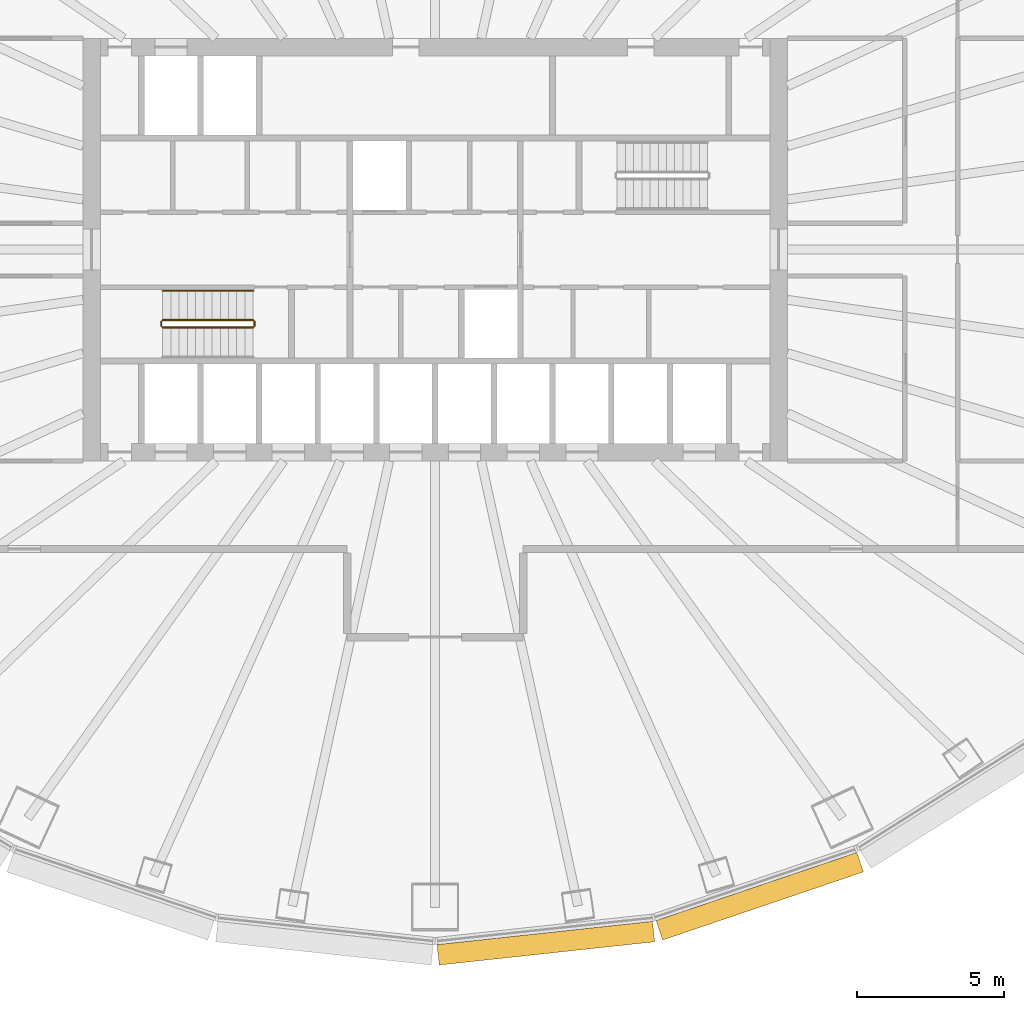
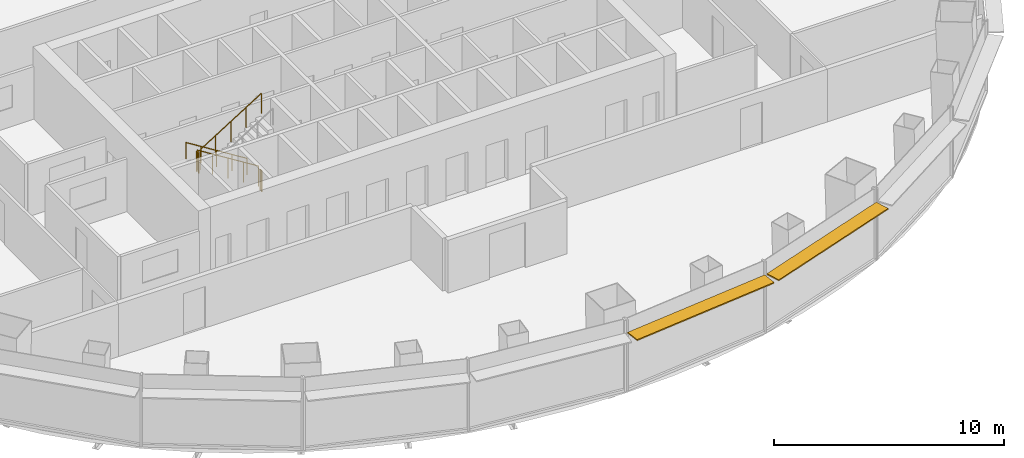
# One storey, part 11 of 13: 5 railings, 2 shading devices.
"""IFC4 building model written with IfcOpenShell, lengths in metres."""

import ifcopenshell
import ifcopenshell.guid

model = None  # the IFC model being written
_history = None  # IfcOwnerHistory: only IFC2X3 demands one
_inside = {}  # id of a spatial element -> (the spatial element, [elements in it])
_under = {}  # id of a project, library or spatial element -> (it, [spatial elements below it])
_declared = {}  # id of a project -> (the project, [libraries it declares])
_typed = {}  # id of a type object -> (the type object, [elements of that type])
_made_of = {}  # id of a material, layer set ... -> (it, [elements and type objects made of it])


def new_model(schema):
    """Start an empty IFC model of exactly this schema.

    Asked for "IFC4X3", IfcOpenShell would pick the latest addendum, in which some entities
    have other attributes; the version numbers below select the first issue.
    IFC2X3 requires an IfcOwnerHistory on every rooted entity: one is made here for all.
    """
    global model, _history
    if schema == "IFC4X3":
        model = ifcopenshell.file(schema_version=(4, 3, 0, 0))
    else:
        model = ifcopenshell.file(schema=schema)
    _inside.clear()
    _under.clear()
    _declared.clear()
    _typed.clear()
    _made_of.clear()
    _history = None
    if model.schema == "IFC2X3":
        org = make("IfcOrganization", Name="unknown")
        user = make(
            "IfcPersonAndOrganization",
            ThePerson=make("IfcPerson", FamilyName="unknown"),
            TheOrganization=org,
        )
        app = make(
            "IfcApplication",
            ApplicationDeveloper=org,
            Version="unknown",
            ApplicationFullName="unknown",
            ApplicationIdentifier="unknown",
        )
        _history = make(
            "IfcOwnerHistory",
            OwningUser=user,
            OwningApplication=app,
            ChangeAction="ADDED",
            CreationDate=0,
        )
    return model


def make(cls, **values):
    """One entity of the class cls with the attributes given. An attribute that is None is left unset."""
    return model.create_entity(
        cls, **{name: value for name, value in values.items() if value is not None}
    )


def rooted(cls, **values):
    """An entity with a GlobalId (a new one), such as an element, a storey or a relation."""
    return make(cls, GlobalId=ifcopenshell.guid.new(), OwnerHistory=_history, **values)


def si_unit(unit_type, name, prefix=None):
    """IfcSIUnit, for example si_unit("LENGTHUNIT", "METRE", prefix="MILLI")."""
    return make("IfcSIUnit", UnitType=unit_type, Prefix=prefix, Name=name)


def assignment(units):
    """IfcUnitAssignment: the units of a project."""
    return None if units is None else make("IfcUnitAssignment", Units=units)


def point(xyz):
    """IfcCartesianPoint."""
    return None if xyz is None else make("IfcCartesianPoint", Coordinates=xyz)


def direction(xyz):
    """IfcDirection."""
    return None if xyz is None else make("IfcDirection", DirectionRatios=xyz)


def frame(location, z_axis=None, x_axis=None):
    """IfcAxis2Placement3D, a coordinate frame: its origin and axes. An axis left out is left unset."""
    return make(
        "IfcAxis2Placement3D",
        Location=point(location),
        Axis=direction(z_axis),
        RefDirection=direction(x_axis),
    )


def frame_2d(location, x_axis=None):
    """IfcAxis2Placement2D, a coordinate frame in the plane: its origin and x axis."""
    return make(
        "IfcAxis2Placement2D", Location=point(location), RefDirection=direction(x_axis)
    )


def origin():
    """The frame at (0, 0, 0) with its axes left unset."""
    return frame((0.0, 0.0, 0.0))


def origin_2d():
    """The frame at (0, 0) in the plane with its x axis left unset."""
    return frame_2d((0.0, 0.0))


def place(relative_to, where):
    """IfcLocalPlacement: puts the frame where relative to a parent placement (None: the world)."""
    return make(
        "IfcLocalPlacement", PlacementRelTo=relative_to, RelativePlacement=where
    )


def context(
    kind, dimensions, precision=None, world=None, true_north=None, identifier=None
):
    """IfcGeometricRepresentationContext, for example the 3D "Model" context."""
    return make(
        "IfcGeometricRepresentationContext",
        ContextIdentifier=identifier,
        ContextType=kind,
        CoordinateSpaceDimension=dimensions,
        Precision=precision,
        WorldCoordinateSystem=world,
        TrueNorth=true_north,
    )


def subcontext(parent, identifier, kind, view, scale=None):
    """IfcGeometricRepresentationSubContext, for example "Body" below "Model"."""
    return make(
        "IfcGeometricRepresentationSubContext",
        ContextIdentifier=identifier,
        ContextType=kind,
        ParentContext=parent,
        TargetScale=scale,
        TargetView=view,
    )


def project(units=None, contexts=None):
    """IfcProject with its units and contexts."""
    return rooted(
        "IfcProject",
        Name="project",
        RepresentationContexts=contexts,
        UnitsInContext=assignment(units),
    )


def spatial(cls, under=None, at=None, **own):
    """A site, building, storey or space (cls), placed at a placement, below another one or the project."""
    s = rooted(cls, ObjectPlacement=at, **own)
    if under is not None:
        _under.setdefault(under.id(), (under, []))[1].append(s)
    return s


def profile(cls, at=None, kind="AREA", **sizes):
    """A parametric profile (cls). Its sizes go by their IFC names, for example OverallWidth=200.0."""
    return make(cls, ProfileType=kind, Position=at, **sizes)


def rectangle(**sizes):
    """IfcRectangleProfileDef."""
    return profile("IfcRectangleProfileDef", **sizes)


def circle(**sizes):
    """IfcCircleProfileDef."""
    return profile("IfcCircleProfileDef", **sizes)


def extrude(swept, where, along, depth):
    """IfcExtrudedAreaSolid: the profile swept, set in the frame where, extruded along a direction by depth."""
    return make(
        "IfcExtrudedAreaSolid",
        SweptArea=swept,
        Position=where,
        ExtrudedDirection=direction(along),
        Depth=depth,
    )


def shape(context_of_items, identifier, shape_type, items):
    """IfcShapeRepresentation: the items that make up one representation, for example the "Body"."""
    return make(
        "IfcShapeRepresentation",
        ContextOfItems=context_of_items,
        RepresentationIdentifier=identifier,
        RepresentationType=shape_type,
        Items=items,
    )


def material(Name=None, Category=None):
    """IfcMaterial."""
    return make("IfcMaterial", Name=Name, Category=Category)


def layer(
    of_material, thickness, ventilated=None, Name=None, Category=None, Priority=None
):
    """IfcMaterialLayer: one layer of a wall or slab, of a material (None: an air gap)."""
    return make(
        "IfcMaterialLayer",
        Material=of_material,
        LayerThickness=thickness,
        IsVentilated=ventilated,
        Name=Name,
        Category=Category,
        Priority=Priority,
    )


def layer_set(layers, Name=None):
    """IfcMaterialLayerSet."""
    return make("IfcMaterialLayerSet", MaterialLayers=layers, LayerSetName=Name)


def made_of(thing, what):
    """Note that an element or type object is made of a material, layer set ...; save() writes the relation."""
    if what is not None:
        _made_of.setdefault(what.id(), (what, []))[1].append(thing)
    return thing


def type_object(cls, material=None, **own):
    """A type object (cls), such as IfcWallType, which elements share."""
    return made_of(rooted(cls, **own), material)


def element(
    cls,
    number,
    at=None,
    inside=None,
    cuts=None,
    type_object=None,
    material=None,
    context=None,
    identifier="Body",
    shape_type=None,
    held_by="IfcProductDefinitionShape",
    body=None,
    shapes=None,
    **own,
):
    """One element of the class cls, such as IfcWall. Its Tag is "e" and its number.

    at: its placement. inside: the storey or other place that contains it. cuts: it is an
    opening in that element (IfcRelVoidsElement). A single representation is given by context,
    identifier, shape_type and body (its items); several are given by shapes. held_by: the class
    of the entity that holds the representations. save() writes the other relations.
    """
    e = rooted(cls, Tag="e%d" % number, ObjectPlacement=at, **own)
    if body is not None:
        shapes = [shape(context, identifier, shape_type, body)]
    if shapes is not None:
        e.Representation = make(held_by, Representations=shapes)
    if inside is not None:
        _inside.setdefault(inside.id(), (inside, []))[1].append(e)
    if cuts is not None:
        rooted(
            "IfcRelVoidsElement", RelatingBuildingElement=cuts, RelatedOpeningElement=e
        )
    if type_object is not None:
        _typed.setdefault(type_object.id(), (type_object, []))[1].append(e)
    return made_of(e, material)


def aggregate(whole, parts):
    """IfcRelAggregates: a whole, such as a stair, and the parts it consists of."""
    return rooted("IfcRelAggregates", RelatingObject=whole, RelatedObjects=parts)


def save(model, path):
    """Write the relations noted so far, then the file.

    IfcRelAggregates (storeys below a building ...), IfcRelContainedInSpatialStructure (elements
    in a storey), IfcRelDefinesByType, IfcRelAssociatesMaterial and IfcRelDeclares: one each for
    every whole, place, type object, material and project.
    """
    for whole, parts in _under.values():
        aggregate(whole, parts)
    for where, things in _inside.values():
        rooted(
            "IfcRelContainedInSpatialStructure",
            RelatedElements=things,
            RelatingStructure=where,
        )
    for kind, things in _typed.values():
        rooted("IfcRelDefinesByType", RelatedObjects=things, RelatingType=kind)
    for what, things in _made_of.values():
        rooted("IfcRelAssociatesMaterial", RelatedObjects=things, RelatingMaterial=what)
    for by, libraries in _declared.values():
        rooted("IfcRelDeclares", RelatingContext=by, RelatedDefinitions=libraries)
    model.write(path)


model = new_model("IFC4")

# Units and contexts
model_context = context("Model", 3, precision=1e-05, world=origin(), true_north=direction((0.0, 1.0)))
body_context = subcontext(model_context, "Body", "Model", "MODEL_VIEW")
ifc_project = project(units=[si_unit("LENGTHUNIT", "METRE"), si_unit("AREAUNIT", "SQUARE_METRE"), si_unit("VOLUMEUNIT", "CUBIC_METRE"), si_unit("PLANEANGLEUNIT", "RADIAN"), si_unit("MASSUNIT", "GRAM", prefix="KILO")], contexts=[model_context])

# Site, building, storey
site_placement = place(None, origin())
site = spatial("IfcSite", under=ifc_project, at=site_placement, CompositionType="ELEMENT")
building_placement = place(site_placement, origin())
building = spatial("IfcBuilding", under=site, at=building_placement, Name="Siaravel Broadcast Tower", CompositionType="ELEMENT")
storey_placement = place(building_placement, frame((0.0, 0.0, 24.5)))
storey = spatial("IfcBuildingStorey", under=building, at=storey_placement, Name="L04", CompositionType="ELEMENT", Elevation=24.5)

# Shading devices
ifc_material_1 = material(Name="Bronze anodised aluminium", Category="aluminium")
ifc_layer = layer(ifc_material_1, 0.06005859375)
ifc_layer_set = layer_set([ifc_layer], Name="Bronze anodised aluminium")
shading_device_type = type_object("IfcShadingDeviceType", Name="Brise-soleil band", PredefinedType="USERDEFINED", material=ifc_layer_set)
shading_device_1_placement = place(storey_placement, frame((3.77001953125, -23.627197265625, 3.070068359375), z_axis=(0.0, 0.0, 1.0), x_axis=(0.994235667, 0.107216783, 0.0)))
element("IfcShadingDevice", 1, at=shading_device_1_placement, inside=storey, type_object=shading_device_type, Name="L04 brise-soleil band 19", ObjectType="SUNSHADE", PredefinedType="USERDEFINED", context=body_context, shape_type="SweptSolid", body=[
    extrude(rectangle(XDim=7.3818359375, YDim=0.699951171875, at=origin_2d()), origin(), (0.0, 0.0, 1.0), 0.06005859375),
])
shading_device_2_placement = place(storey_placement, frame((11.056884765625, -22.02783203125, 3.070068359375), z_axis=(0.0, 0.0, 1.0), x_axis=(0.946977245, 0.321300635, 0.0)))
element("IfcShadingDevice", 2, at=shading_device_2_placement, inside=storey, type_object=shading_device_type, Name="L04 brise-soleil band 20", ObjectType="SUNSHADE", PredefinedType="USERDEFINED", context=body_context, shape_type="SweptSolid", body=[
    extrude(rectangle(XDim=7.220703125, YDim=0.699951171875, at=origin_2d()), origin(), (0.0, 0.0, 1.0), 0.06005859375),
])

# Railings
ifc_material_2 = material(Name="Stainless steel 316L", Category="steel")
railing_type_1 = type_object("IfcRailingType", Name="Stair guard 1100", PredefinedType="GUARDRAIL", material=ifc_material_2)
railing_1_placement = place(storey_placement, frame((-6.199951171875, -2.39990234375, 0.175048828125)))
element("IfcRailing", 3, at=railing_1_placement, inside=storey, type_object=railing_type_1, Name="L04 ST-1 stair guard 1", PredefinedType="GUARDRAIL", context=body_context, shape_type="SweptSolid", body=[
    extrude(circle(Radius=0.02392578125, at=origin_2d()), frame((0.0, 0.0, 1.076171875), z_axis=(-0.847998304, 0.0, 0.52999894), x_axis=(0.0, -1.0, 0.0)), (0.0, 0.0, 1.0), 3.632080078125),
    extrude(circle(Radius=0.02099609375, at=origin_2d()), origin(), (0.0, 0.0, 1.0), 1.052001953125),
    extrude(circle(Radius=0.02099609375, at=origin_2d()), frame((-0.77001953125, 0.0, 0.481201171875)), (0.0, 0.0, 1.0), 1.052001953125),
    extrude(circle(Radius=0.02099609375, at=origin_2d()), frame((-1.5400390625, 0.0, 0.96240234375)), (0.0, 0.0, 1.0), 1.052001953125),
    extrude(circle(Radius=0.02099609375, at=origin_2d()), frame((-2.31005859375, 0.0, 1.44384765625)), (0.0, 0.0, 1.0), 1.052001953125),
    extrude(circle(Radius=0.02099609375, at=origin_2d()), frame((-3.080078125, 0.0, 1.925048828125)), (0.0, 0.0, 1.0), 1.052001953125),
])
railing_2_placement = place(storey_placement, frame((-9.330078125, -2.449951171875, 2.10009765625)))
element("IfcRailing", 4, at=railing_2_placement, inside=storey, type_object=railing_type_1, Name="L04 ST-1 stair guard 2", PredefinedType="GUARDRAIL", context=body_context, shape_type="SweptSolid", body=[
    extrude(circle(Radius=0.02392578125, at=origin_2d()), frame((0.0, 0.0, 1.076171875), z_axis=(0.0, -1.0, 0.0), x_axis=(1.0, 0.0, 0.0)), (0.0, 0.0, 1.0), 0.150146484375),
    extrude(circle(Radius=0.02099609375, at=origin_2d()), origin(), (0.0, 0.0, 1.0), 1.052001953125),
    extrude(circle(Radius=0.02099609375, at=origin_2d()), frame((0.0, -0.150146484375, 0.0)), (0.0, 0.0, 1.0), 1.052001953125),
])
railing_3_placement = place(storey_placement, frame((-9.280029296875, -2.64990234375, 2.27490234375)))
element("IfcRailing", 5, at=railing_3_placement, inside=storey, type_object=railing_type_1, Name="L04 ST-1 stair guard 3", PredefinedType="GUARDRAIL", context=body_context, shape_type="SweptSolid", body=[
    extrude(circle(Radius=0.02392578125, at=origin_2d()), frame((0.0, 0.0, 1.076171875), z_axis=(0.847998304, 0.0, 0.52999894), x_axis=(0.0, 1.0, 0.0)), (0.0, 0.0, 1.0), 3.632080078125),
    extrude(circle(Radius=0.02099609375, at=origin_2d()), origin(), (0.0, 0.0, 1.0), 1.052001953125),
    extrude(circle(Radius=0.02099609375, at=origin_2d()), frame((0.77001953125, 0.0, 0.481201171875)), (0.0, 0.0, 1.0), 1.052001953125),
    extrude(circle(Radius=0.02099609375, at=origin_2d()), frame((1.5400390625, 0.0, 0.96240234375)), (0.0, 0.0, 1.0), 1.052001953125),
    extrude(circle(Radius=0.02099609375, at=origin_2d()), frame((2.31005859375, 0.0, 1.44384765625)), (0.0, 0.0, 1.0), 1.052001953125),
    extrude(circle(Radius=0.02099609375, at=origin_2d()), frame((3.080078125, 0.0, 1.925048828125)), (0.0, 0.0, 1.0), 1.052001953125),
])
railing_4_placement = place(storey_placement, frame((-6.14990234375, -2.449951171875, 0.0)))
element("IfcRailing", 6, at=railing_4_placement, inside=storey, type_object=railing_type_1, Name="L04 ST-1 stair guard 4", PredefinedType="GUARDRAIL", context=body_context, shape_type="SweptSolid", body=[
    extrude(circle(Radius=0.02392578125, at=origin_2d()), frame((0.0, 0.0, 1.076171875), z_axis=(0.0, -1.0, 0.0), x_axis=(1.0, 0.0, 0.0)), (0.0, 0.0, 1.0), 0.150146484375),
    extrude(circle(Radius=0.02099609375, at=origin_2d()), origin(), (0.0, 0.0, 1.0), 1.052001953125),
    extrude(circle(Radius=0.02099609375, at=origin_2d()), frame((0.0, -0.150146484375, 0.0)), (0.0, 0.0, 1.0), 1.052001953125),
])
railing_type_2 = type_object("IfcRailingType", Name="Stair handrail 900", PredefinedType="HANDRAIL", material=ifc_material_2)
railing_5_placement = place(storey_placement, frame((-6.199951171875, -1.39990234375, 0.175048828125)))
element("IfcRailing", 7, at=railing_5_placement, inside=storey, type_object=railing_type_2, Name="L04 ST-1 stair handrail 1", PredefinedType="HANDRAIL", context=body_context, shape_type="SweptSolid", body=[
    extrude(circle(Radius=0.02392578125, at=origin_2d()), frame((0.0, 0.0, 0.8759765625), z_axis=(-0.847998304, 0.0, 0.52999894), x_axis=(0.0, -1.0, 0.0)), (0.0, 0.0, 1.0), 3.632080078125),
    extrude(circle(Radius=0.02099609375, at=origin_2d()), origin(), (0.0, 0.0, 1.0), 0.851806640625),
    extrude(circle(Radius=0.02099609375, at=origin_2d()), frame((-0.77001953125, 0.0, 0.481201171875)), (0.0, 0.0, 1.0), 0.851806640625),
    extrude(circle(Radius=0.02099609375, at=origin_2d()), frame((-1.5400390625, 0.0, 0.96240234375)), (0.0, 0.0, 1.0), 0.851806640625),
    extrude(circle(Radius=0.02099609375, at=origin_2d()), frame((-2.31005859375, 0.0, 1.44384765625)), (0.0, 0.0, 1.0), 0.851806640625),
    extrude(circle(Radius=0.02099609375, at=origin_2d()), frame((-3.080078125, 0.0, 1.925048828125)), (0.0, 0.0, 1.0), 0.851806640625),
])

save(model, "model.ifc")
